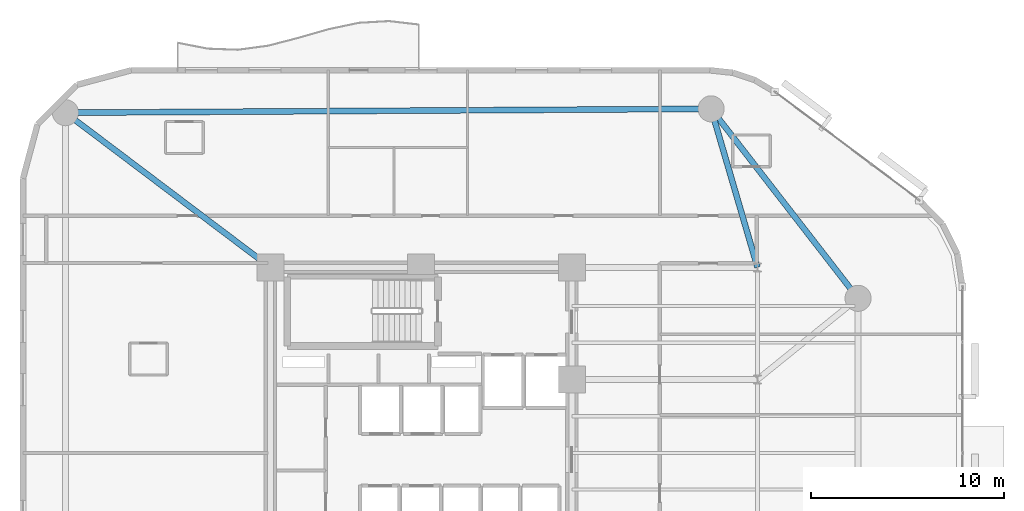
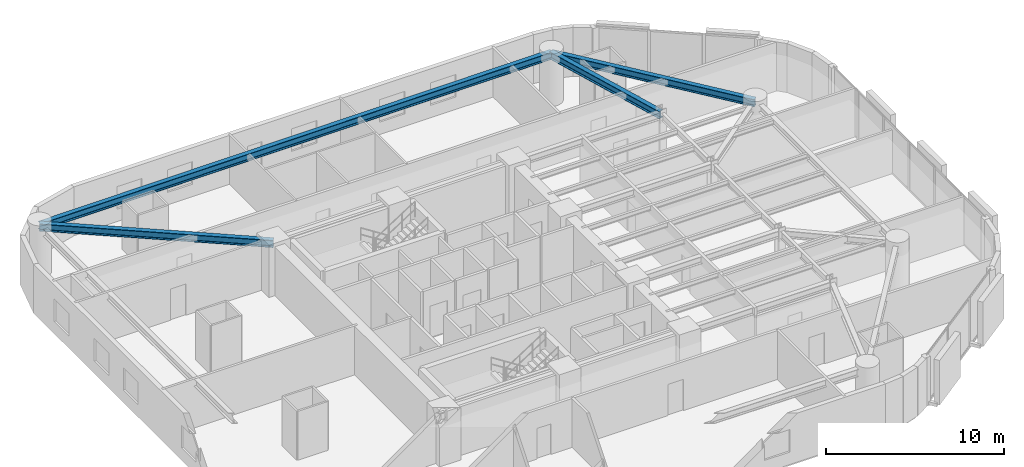
# One storey, part 7 of 15: 4 beams.
"""IFC4 building model written with IfcOpenShell, lengths in metres."""

from ifc_helpers import new_model, si_unit, direction, frame, origin, origin_2d, place, context, subcontext, project, spatial, i_section, extrude, material, material_profile, profile_set, type_object, element, save


model = new_model("IFC4")

# Units and contexts
model_context = context("Model", 3, precision=1e-05, world=origin(), true_north=direction((0.0, 1.0)))
body_context = subcontext(model_context, "Body", "Model", "MODEL_VIEW")
ifc_project = project(units=[si_unit("LENGTHUNIT", "METRE"), si_unit("AREAUNIT", "SQUARE_METRE"), si_unit("VOLUMEUNIT", "CUBIC_METRE"), si_unit("PLANEANGLEUNIT", "RADIAN"), si_unit("MASSUNIT", "GRAM", prefix="KILO")], contexts=[model_context])

# Site, building, storey
site_placement = place(None, origin())
site = spatial("IfcSite", under=ifc_project, at=site_placement, CompositionType="ELEMENT")
building_placement = place(site_placement, origin())
building = spatial("IfcBuilding", under=site, at=building_placement, Name="An Khanh Terracotta Commons", CompositionType="ELEMENT")
storey_placement = place(building_placement, frame((0.0, 0.0, 129.5)))
storey = spatial("IfcBuildingStorey", under=building, at=storey_placement, Name="L34", CompositionType="ELEMENT", Elevation=129.5)

# Beams
ifc_material = material(Name="Steel S355J2", Category="steel")
ifc_material_profile = material_profile(ifc_material, i_section(OverallWidth=0.300048828125, OverallDepth=0.5, WebThickness=0.014404296875, FlangeThickness=0.028076171875, FilletRadius=0.027099609375, at=origin_2d()), Name="HEB500")
ifc_profile_set = profile_set([ifc_material_profile], Name="Steel S355J2")
beam_type = type_object("IfcBeamType", Name="BM-HEB500", PredefinedType="BEAM", material=ifc_profile_set)
beam_1_placement = place(storey_placement, frame((52.0, 32.0, 3.110107421875), z_axis=(-0.612826529795, 0.790217466511, 0.0), x_axis=(-0.790217466511, -0.612826529795, 0.0)))
element("IfcBeam", 1, at=beam_1_placement, inside=storey, type_object=beam_type, Name="L34 Perimeter Ring Spandrel 4", PredefinedType="BEAM", context=body_context, shape_type="SweptSolid", body=[
    extrude(i_section(OverallWidth=0.300048828125, OverallDepth=0.5, WebThickness=0.014404296875, FlangeThickness=0.028076171875, FilletRadius=0.027099609375, at=origin_2d()), origin(), (0.0, 0.0, 1.0), 12.401611328125),
])
beam_2_placement = place(storey_placement, frame((44.39990234375, 41.800048828125, 3.110107421875), z_axis=(-0.999982080914, -0.005986472262, 0.0), x_axis=(0.005986472262, -0.999982080914, 0.0)))
element("IfcBeam", 2, at=beam_2_placement, inside=storey, type_object=beam_type, Name="L34 Perimeter Ring Spandrel 5", PredefinedType="BEAM", context=body_context, shape_type="SweptSolid", body=[
    extrude(i_section(OverallWidth=0.300048828125, OverallDepth=0.5, WebThickness=0.014404296875, FlangeThickness=0.028076171875, FilletRadius=0.027099609375, at=origin_2d()), origin(), (0.0, 0.0, 1.0), 33.400390625),
])
beam_3_placement = place(storey_placement, frame((44.39990234375, 41.800048828125, 3.110107421875), z_axis=(0.280916085823, -0.959732333896, 0.0), x_axis=(0.959732333896, 0.280916085823, 0.0)))
element("IfcBeam", 3, at=beam_3_placement, inside=storey, type_object=beam_type, Name="L34 Mega-Column Tie Girder 5", PredefinedType="BEAM", context=body_context, shape_type="SweptSolid", body=[
    extrude(i_section(OverallWidth=0.300048828125, OverallDepth=0.5, WebThickness=0.014404296875, FlangeThickness=0.028076171875, FilletRadius=0.027099609375, at=origin_2d()), origin(), (0.0, 0.0, 1.0), 8.5439453125),
])
beam_4_placement = place(storey_placement, frame((11.0, 41.60009765625, 3.110107421875), z_axis=(0.798191818888, -0.602403370061, 0.0), x_axis=(0.602403370061, 0.798191818888, 0.0)))
element("IfcBeam", 4, at=beam_4_placement, inside=storey, type_object=beam_type, Name="L34 Mega-Column Tie Girder 6", PredefinedType="BEAM", context=body_context, shape_type="SweptSolid", body=[
    extrude(i_section(OverallWidth=0.300048828125, OverallDepth=0.5, WebThickness=0.014404296875, FlangeThickness=0.028076171875, FilletRadius=0.027099609375, at=origin_2d()), origin(), (0.0, 0.0, 1.0), 13.280029296875),
])

save(model, "model.ifc")
